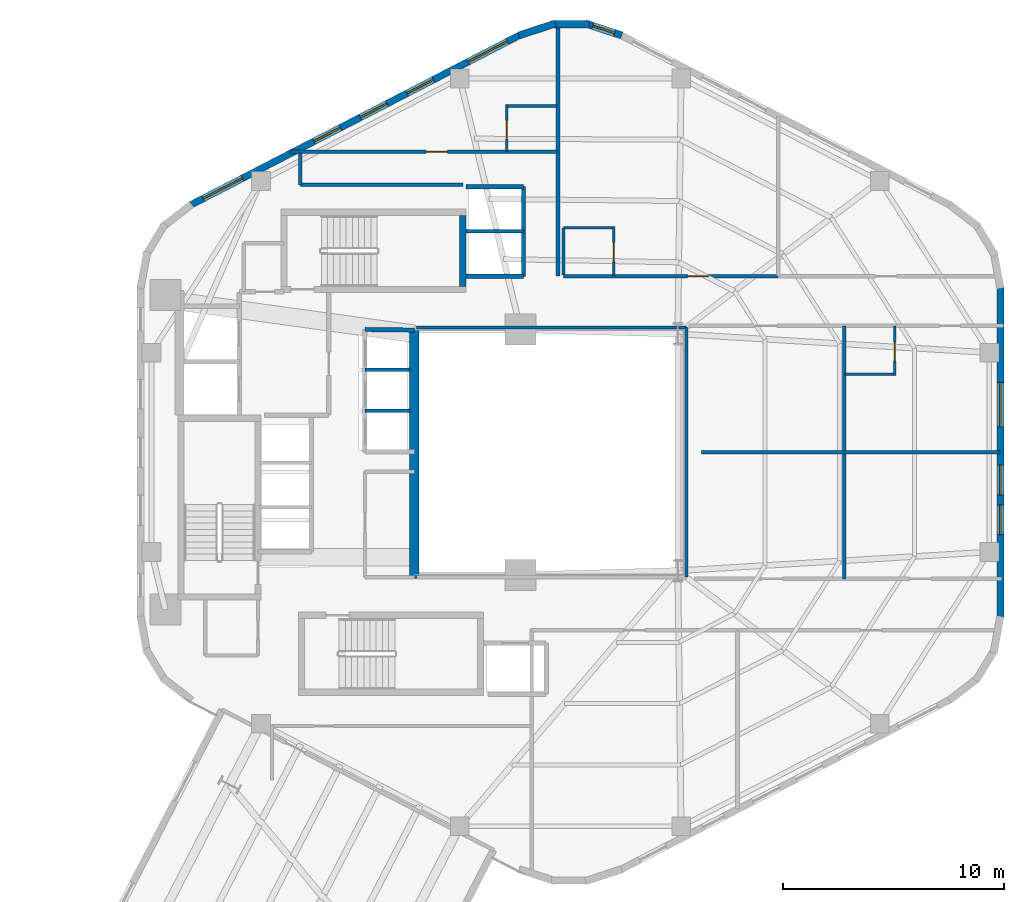
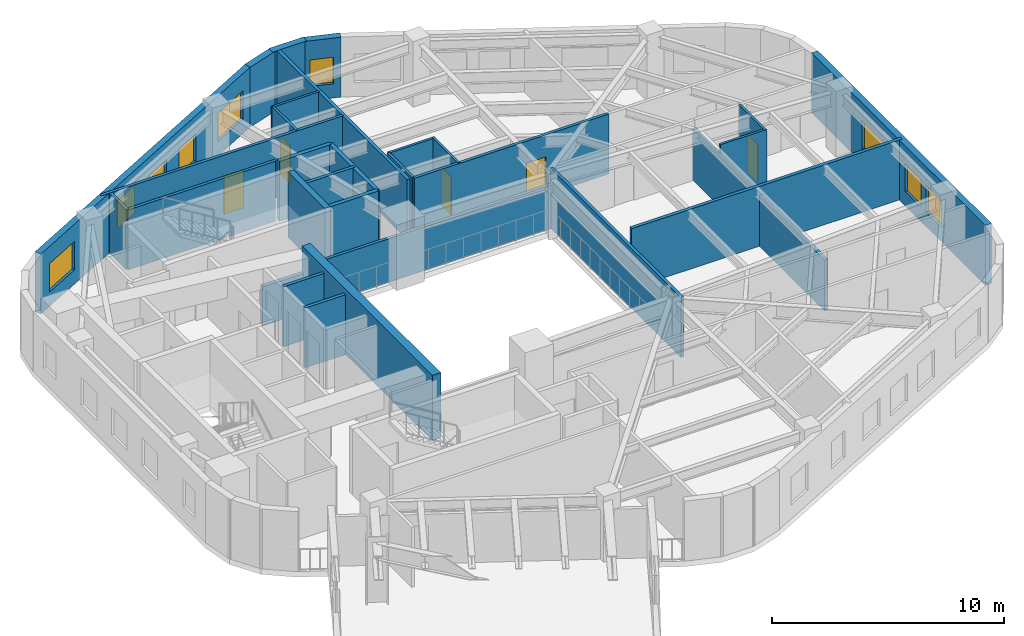
# One storey, part 7 of 9: 31 walls, 9 windows, 5 doors, 14 openings.
"""IFC4 building model written with IfcOpenShell, lengths in metres."""

from ifc_helpers import new_model, si_unit, direction, frame, frame_2d, origin, place, context, subcontext, project, spatial, rectangle, extrude, material, layer, layer_set, type_object, element, fill, save


model = new_model("IFC4")

# Units and contexts
model_context = context("Model", 3, precision=1e-05, world=origin(), true_north=direction((0.0, 1.0)))
body_context = subcontext(model_context, "Body", "Model", "MODEL_VIEW")
ifc_project = project(units=[si_unit("LENGTHUNIT", "METRE"), si_unit("AREAUNIT", "SQUARE_METRE"), si_unit("VOLUMEUNIT", "CUBIC_METRE"), si_unit("PLANEANGLEUNIT", "RADIAN"), si_unit("MASSUNIT", "GRAM", prefix="KILO"), si_unit("THERMODYNAMICTEMPERATUREUNIT", "KELVIN"), si_unit("POWERUNIT", "WATT")], contexts=[model_context])

# Site, building, storey
site_placement = place(None, origin())
site = spatial("IfcSite", under=ifc_project, at=site_placement, CompositionType="ELEMENT")
building_placement = place(site_placement, origin())
building = spatial("IfcBuilding", under=site, at=building_placement, Name="Skarre Station Tower", CompositionType="ELEMENT")
storey_placement = place(building_placement, frame((0.0, 0.0, 174.0)))
storey = spatial("IfcBuildingStorey", under=building, at=storey_placement, Name="L47", CompositionType="ELEMENT", Elevation=174.0)

# Walls
ifc_material_1 = material(Name="Acoustic Steel-Stud Gypsum Partition", Category="steel")
ifc_layer_1 = layer(ifc_material_1, 0.14990234375, Name="Acoustic Steel-Stud Gypsum Partition")
ifc_layer_set_1 = layer_set([ifc_layer_1], Name="Acoustic Steel-Stud Gypsum Partition")
wall_type_1 = type_object("IfcWallType", Name="Fire-Rated Corridor Acoustic Partition 150", PredefinedType="PARTITIONING", material=ifc_layer_set_1)
wall_1_placement = place(storey_placement, frame((39.840087890625, 29.639892578125, 0.0), z_axis=(0.0, 0.0, 1.0), x_axis=(-1.0, 0.0, 0.0)))
element("IfcWall", 1, at=wall_1_placement, inside=storey, type_object=wall_type_1, Name="L47 Interior Partition WL-PT-L47-ATRW-N", PredefinedType="PARTITIONING", context=body_context, shape_type="SweptSolid", body=[
    extrude(rectangle(XDim=12.2001953125, YDim=0.14990234375, at=frame_2d((6.10009765625, 0.0))), origin(), (0.0, 0.0, 1.0), 2.301025390625),
])
wall_2_placement = place(storey_placement, frame((39.840087890625, 18.360107421875, 0.0), z_axis=(0.0, 0.0, 1.0), x_axis=(0.0, 1.0, 0.0)))
element("IfcWall", 2, at=wall_2_placement, inside=storey, type_object=wall_type_1, Name="L47 Interior Partition WL-PT-L47-ATRW-E", PredefinedType="PARTITIONING", context=body_context, shape_type="SweptSolid", body=[
    extrude(rectangle(XDim=11.27978515625, YDim=0.14990234375, at=frame_2d((5.639892578125, 0.0))), origin(), (0.0, 0.0, 1.0), 3.159912109375),
])

# Wall, opening, door
wall_3_placement = place(storey_placement, frame((34.0, 37.580078125, 0.0), z_axis=(0.0, 0.0, 1.0), x_axis=(-1.0, 0.0, 0.0)))
wall_3 = element("IfcWall", 3, at=wall_3_placement, inside=storey, type_object=wall_type_1, Name="L47 Interior Partition WL-PT-L47-NWW1-CW", PredefinedType="PARTITIONING", context=body_context, shape_type="SweptSolid", body=[
    extrude(rectangle(XDim=12.074951171875, YDim=0.14990234375, at=frame_2d((6.03759765625, 0.0))), origin(), (0.0, 0.0, 1.0), 3.159912109375),
])
opening_1_placement = place(wall_3_placement, frame((4.9599609375, 0.0, 0.0)))
opening_1 = element("IfcOpeningElement", 4, at=opening_1_placement, cuts=wall_3, Name="Opening DR-FD60", PredefinedType="OPENING", context=body_context, shape_type="SweptSolid", body=[
    extrude(rectangle(XDim=0.9599609375, YDim=2.0, at=frame_2d((0.47998046875, 1.0))), frame((0.0, 0.0849609375, 0.0), z_axis=(0.0, -1.0, 0.0), x_axis=(1.0, 0.0, 0.0)), (0.0, 0.0, 1.0), 0.169921875),
])
ifc_material_2 = material(Name="Nordic White-Oak Veneer Solid-Core Fire Leaf", Category="wood")
door_type_1 = type_object("IfcDoorType", Name="Corridor Suite Entry Fire Door FD60 960x2150", OperationType="SINGLE_SWING_LEFT", PredefinedType="DOOR", material=ifc_material_2)
door_1_placement = place(opening_1_placement, origin())
door_1 = element("IfcDoor", 5, at=door_1_placement, inside=storey, type_object=door_type_1, Name="L47 NWW1 Entry Door", OperationType="SINGLE_SWING_LEFT", OverallHeight=2.0, OverallWidth=0.9599609375, PredefinedType="DOOR", context=body_context, shape_type="SweptSolid", body=[
    extrude(rectangle(XDim=0.9599609375, YDim=2.0, at=frame_2d((0.47998046875, 1.0))), frame((0.0, 0.02490234375, 0.0), z_axis=(0.0, -1.0, 0.0), x_axis=(1.0, 0.0, 0.0)), (0.0, 0.0, 1.0), 0.050048828125),
])
fill(opening_1, door_1)

wall_4_placement = place(storey_placement, frame((43.985107421875, 31.9599609375, 0.0), z_axis=(0.0, 0.0, 1.0), x_axis=(-1.0, 0.0, 0.0)))
wall_4 = element("IfcWall", 6, at=wall_4_placement, inside=storey, type_object=wall_type_1, Name="L47 Interior Partition WL-PT-L47-NW1-CW", PredefinedType="PARTITIONING", context=body_context, shape_type="SweptSolid", body=[
    extrude(rectangle(XDim=9.695068359375, YDim=0.14990234375, at=frame_2d((4.84765625, 0.0))), origin(), (0.0, 0.0, 1.0), 3.159912109375),
])
opening_2_placement = place(wall_4_placement, frame((3.14794921875, 0.0, 0.0)))
opening_2 = element("IfcOpeningElement", 7, at=opening_2_placement, cuts=wall_4, Name="Opening DR-FD60", PredefinedType="OPENING", context=body_context, shape_type="SweptSolid", body=[
    extrude(rectangle(XDim=0.9599609375, YDim=2.0, at=frame_2d((0.47998046875, 1.0))), frame((0.0, 0.0849609375, 0.0), z_axis=(0.0, -1.0, 0.0), x_axis=(1.0, 0.0, 0.0)), (0.0, 0.0, 1.0), 0.169921875),
])
door_2_placement = place(opening_2_placement, origin())
door_2 = element("IfcDoor", 8, at=door_2_placement, inside=storey, type_object=door_type_1, Name="L47 NW1 Entry Door", OperationType="SINGLE_SWING_LEFT", OverallHeight=2.0, OverallWidth=0.9599609375, PredefinedType="DOOR", context=body_context, shape_type="SweptSolid", body=[
    extrude(rectangle(XDim=0.9599609375, YDim=2.0, at=frame_2d((0.47998046875, 1.0))), frame((0.0, 0.02490234375, 0.0), z_axis=(0.0, -1.0, 0.0), x_axis=(1.0, 0.0, 0.0)), (0.0, 0.0, 1.0), 0.050048828125),
])
fill(opening_2, door_2)

# Walls
wall_5_placement = place(storey_placement, frame((29.7529296875, 36.080078125, 0.0), z_axis=(0.0, 0.0, 1.0), x_axis=(-1.0, 0.0, 0.0)))
element("IfcWall", 9, at=wall_5_placement, inside=storey, type_object=wall_type_1, Name="L47 Interior Partition WL-PT-L47-CSEAL-1", PredefinedType="PARTITIONING", context=body_context, shape_type="SweptSolid", body=[
    extrude(rectangle(XDim=7.35302734375, YDim=0.14990234375, at=frame_2d((3.676513671875, 0.0))), origin(), (0.0, 0.0, 1.0), 3.159912109375),
])
wall_6_placement = place(storey_placement, frame((22.39990234375, 36.080078125, 0.0), z_axis=(0.0, 0.0, 1.0), x_axis=(0.0, 1.0, 0.0)))
element("IfcWall", 10, at=wall_6_placement, inside=storey, type_object=wall_type_1, Name="L47 Interior Partition WL-PT-L47-CSEAL-2", PredefinedType="PARTITIONING", context=body_context, shape_type="SweptSolid", body=[
    extrude(rectangle(XDim=1.429931640625, YDim=0.14990234375, at=frame_2d((0.71484375, 0.0))), origin(), (0.0, 0.0, 1.0), 3.159912109375),
])
ifc_material_3 = material(Name="Insulated Timber-Stud Gypsum Partition", Category="wood")
ifc_layer_2 = layer(ifc_material_3, 0.1201171875, Name="Insulated Timber-Stud Gypsum Partition")
ifc_layer_set_2 = layer_set([ifc_layer_2], Name="Insulated Timber-Stud Gypsum Partition")
wall_type_2 = type_object("IfcWallType", Name="Internal Suite Acoustic Partition 120", PredefinedType="PARTITIONING", material=ifc_layer_set_2)
wall_7_placement = place(storey_placement, frame((34.0, 39.639892578125, 0.0), z_axis=(0.0, 0.0, 1.0), x_axis=(-1.0, 0.0, 0.0)))
element("IfcWall", 11, at=wall_7_placement, inside=storey, type_object=wall_type_2, Name="L47 Interior Partition WL-PT-L47-NWW1-EW3", PredefinedType="PARTITIONING", context=body_context, shape_type="SweptSolid", body=[
    extrude(rectangle(XDim=2.340087890625, YDim=0.1201171875, at=frame_2d((1.169921875, 0.0))), origin(), (0.0, 0.0, 1.0), 3.159912109375),
])

# Wall, opening, door
wall_8_placement = place(storey_placement, frame((31.719970703125, 39.639892578125, 0.0), z_axis=(0.0, 0.0, 1.0), x_axis=(0.0, -1.0, 0.0)))
wall_8 = element("IfcWall", 12, at=wall_8_placement, inside=storey, type_object=wall_type_2, Name="L47 Interior Partition WL-PT-L47-NWW1-EW4", PredefinedType="PARTITIONING", context=body_context, shape_type="SweptSolid", body=[
    extrude(rectangle(XDim=2.059814453125, YDim=0.1201171875, at=frame_2d((1.02978515625, 0.0))), origin(), (0.0, 0.0, 1.0), 3.159912109375),
])
opening_3_placement = place(wall_8_placement, frame((0.64990234375, 0.0, 0.0)))
opening_3 = element("IfcOpeningElement", 13, at=opening_3_placement, cuts=wall_8, Name="Opening DR-INT86", PredefinedType="OPENING", context=body_context, shape_type="SweptSolid", body=[
    extrude(rectangle(XDim=0.860107421875, YDim=2.0, at=frame_2d((0.43017578125, 1.0))), frame((0.0, 0.070068359375, 0.0), z_axis=(0.0, -1.0, 0.0), x_axis=(1.0, 0.0, 0.0)), (0.0, 0.0, 1.0), 0.14013671875),
])
ifc_material_4 = material(Name="Nordic Birch Acoustic Solid-Core Timber Leaf", Category="wood")
door_type_2 = type_object("IfcDoorType", Name="Internal En-Suite & Bedroom Door 860x2100", OperationType="SINGLE_SWING_LEFT", PredefinedType="DOOR", material=ifc_material_4)
door_3_placement = place(opening_3_placement, origin())
door_3 = element("IfcDoor", 14, at=door_3_placement, inside=storey, type_object=door_type_2, Name="L47 NWW1 En-suite Door", OperationType="SINGLE_SWING_RIGHT", OverallHeight=2.0, OverallWidth=0.860107421875, PredefinedType="DOOR", context=body_context, shape_type="SweptSolid", body=[
    extrude(rectangle(XDim=0.860107421875, YDim=2.0, at=frame_2d((0.43017578125, 1.0))), frame((0.0, 0.02490234375, 0.0), z_axis=(0.0, -1.0, 0.0), x_axis=(1.0, 0.0, 0.0)), (0.0, 0.0, 1.0), 0.050048828125),
])
fill(opening_3, door_3)

wall_9_placement = place(storey_placement, frame((36.550048828125, 31.9599609375, 0.0), z_axis=(0.0, 0.0, 1.0), x_axis=(0.0, 1.0, 0.0)))
wall_9 = element("IfcWall", 15, at=wall_9_placement, inside=storey, type_object=wall_type_2, Name="L47 Interior Partition WL-PT-L47-NW1-EW2", PredefinedType="PARTITIONING", context=body_context, shape_type="SweptSolid", body=[
    extrude(rectangle(XDim=2.239990234375, YDim=0.1201171875, at=frame_2d((1.1201171875, 0.0))), origin(), (0.0, 0.0, 1.0), 3.159912109375),
])
opening_4_placement = place(wall_9_placement, frame((0.64990234375, 0.0, 0.0)))
opening_4 = element("IfcOpeningElement", 16, at=opening_4_placement, cuts=wall_9, Name="Opening DR-INT86", PredefinedType="OPENING", context=body_context, shape_type="SweptSolid", body=[
    extrude(rectangle(XDim=0.860107421875, YDim=2.0, at=frame_2d((0.43017578125, 1.0))), frame((0.0, 0.070068359375, 0.0), z_axis=(0.0, -1.0, 0.0), x_axis=(1.0, 0.0, 0.0)), (0.0, 0.0, 1.0), 0.14013671875),
])
door_4_placement = place(opening_4_placement, origin())
door_4 = element("IfcDoor", 17, at=door_4_placement, inside=storey, type_object=door_type_2, Name="L47 NW1 En-suite Door", OperationType="SINGLE_SWING_LEFT", OverallHeight=2.0, OverallWidth=0.860107421875, PredefinedType="DOOR", context=body_context, shape_type="SweptSolid", body=[
    extrude(rectangle(XDim=0.860107421875, YDim=2.0, at=frame_2d((0.43017578125, 1.0))), frame((0.0, 0.02490234375, 0.0), z_axis=(0.0, -1.0, 0.0), x_axis=(1.0, 0.0, 0.0)), (0.0, 0.0, 1.0), 0.050048828125),
])
fill(opening_4, door_4)

# Walls
wall_10_placement = place(storey_placement, frame((36.610107421875, 34.139892578125, 0.0), z_axis=(0.0, 0.0, 1.0), x_axis=(-1.0, 0.0, 0.0)))
element("IfcWall", 18, at=wall_10_placement, inside=storey, type_object=wall_type_2, Name="L47 Interior Partition WL-PT-L47-NW1-EW3", PredefinedType="PARTITIONING", context=body_context, shape_type="SweptSolid", body=[
    extrude(rectangle(XDim=2.320068359375, YDim=0.1201171875, at=frame_2d((1.16015625, 0.0))), origin(), (0.0, 0.0, 1.0), 3.159912109375),
])
wall_11_placement = place(storey_placement, frame((34.2900390625, 34.139892578125, 0.0), z_axis=(0.0, 0.0, 1.0), x_axis=(0.0, -1.0, 0.0)))
element("IfcWall", 19, at=wall_11_placement, inside=storey, type_object=wall_type_2, Name="L47 Interior Partition WL-PT-L47-NW1-EW4", PredefinedType="PARTITIONING", context=body_context, shape_type="SweptSolid", body=[
    extrude(rectangle(XDim=2.139892578125, YDim=0.1201171875, at=frame_2d((1.06982421875, 0.0))), origin(), (0.0, 0.0, 1.0), 3.159912109375),
])

# Wall, opening, door
wall_12_placement = place(storey_placement, frame((49.24609375, 27.469970703125, 0.0), z_axis=(0.0, 0.0, 1.0), x_axis=(0.0, 1.0, 0.0)))
wall_12 = element("IfcWall", 20, at=wall_12_placement, inside=storey, type_object=wall_type_2, Name="L47 Interior Partition WL-PT-L47-EWN2-EW2", PredefinedType="PARTITIONING", context=body_context, shape_type="SweptSolid", body=[
    extrude(rectangle(XDim=2.239990234375, YDim=0.1201171875, at=frame_2d((1.1201171875, 0.0))), origin(), (0.0, 0.0, 1.0), 3.159912109375),
])
opening_5_placement = place(wall_12_placement, frame((0.64990234375, 0.0, 0.0)))
opening_5 = element("IfcOpeningElement", 21, at=opening_5_placement, cuts=wall_12, Name="Opening DR-INT86", PredefinedType="OPENING", context=body_context, shape_type="SweptSolid", body=[
    extrude(rectangle(XDim=0.860107421875, YDim=2.0, at=frame_2d((0.43017578125, 1.0))), frame((0.0, 0.070068359375, 0.0), z_axis=(0.0, -1.0, 0.0), x_axis=(1.0, 0.0, 0.0)), (0.0, 0.0, 1.0), 0.14013671875),
])
door_5_placement = place(opening_5_placement, origin())
door_5 = element("IfcDoor", 22, at=door_5_placement, inside=storey, type_object=door_type_2, Name="L47 EWN2 En-suite Door", OperationType="SINGLE_SWING_RIGHT", OverallHeight=2.0, OverallWidth=0.860107421875, PredefinedType="DOOR", context=body_context, shape_type="SweptSolid", body=[
    extrude(rectangle(XDim=0.860107421875, YDim=2.0, at=frame_2d((0.43017578125, 1.0))), frame((0.0, 0.02490234375, 0.0), z_axis=(0.0, -1.0, 0.0), x_axis=(1.0, 0.0, 0.0)), (0.0, 0.0, 1.0), 0.050048828125),
])
fill(opening_5, door_5)

# Walls
wall_13_placement = place(storey_placement, frame((46.986083984375, 27.530029296875, 0.0), z_axis=(0.0, 0.0, 1.0), x_axis=(1.0, 0.0, 0.0)))
element("IfcWall", 23, at=wall_13_placement, inside=storey, type_object=wall_type_2, Name="L47 Interior Partition WL-PT-L47-EWN2-EW1", PredefinedType="PARTITIONING", context=body_context, shape_type="SweptSolid", body=[
    extrude(rectangle(XDim=2.31982421875, YDim=0.1201171875, at=frame_2d((1.159912109375, 0.0))), origin(), (0.0, 0.0, 1.0), 3.159912109375),
])
ifc_material_5 = material(Name="Precast concrete C45/55", Category="concrete")
ifc_layer_3 = layer(ifc_material_5, 0.330078125, Name="Precast concrete C45/55")
ifc_layer_set_3 = layer_set([ifc_layer_3], Name="Precast concrete C45/55")
wall_type_3 = type_object("IfcWallType", Name="Nordic Rounded Corner Precast Wall 330", PredefinedType="STANDARD", material=ifc_layer_set_3)
wall_14_placement = place(storey_placement, frame((32.281005859375, 42.83203125, 0.0), z_axis=(0.0, 0.0, 1.0), x_axis=(0.949937416267, 0.312440242569, 0.0)))
element("IfcWall", 24, at=wall_14_placement, inside=storey, type_object=wall_type_3, Name="L47 Rounded Corner Precast Wall F1-1", PredefinedType="STANDARD", context=body_context, shape_type="SweptSolid", body=[
    extrude(rectangle(XDim=1.72216796875, YDim=0.330078125, at=frame_2d((0.861083984375, 0.0))), origin(), (0.0, 0.0, 1.0), 3.159912109375),
])
wall_15_placement = place(storey_placement, frame((33.739013671875, 43.341064453125, 0.0), z_axis=(0.0, 0.0, 1.0), x_axis=(1.0, 0.0, 0.0)))
element("IfcWall", 25, at=wall_15_placement, inside=storey, type_object=wall_type_3, Name="L47 Rounded Corner Precast Wall F1-2", PredefinedType="STANDARD", context=body_context, shape_type="SweptSolid", body=[
    extrude(rectangle(XDim=1.721923828125, YDim=0.330078125, at=frame_2d((0.86083984375, 0.0))), origin(), (0.0, 0.0, 1.0), 3.159912109375),
])

# Wall, opening, window
wall_16_placement = place(storey_placement, frame((35.282958984375, 43.3701171875, 0.0), z_axis=(0.0, 0.0, 1.0), x_axis=(0.949937416267, -0.312440242569, 0.0)))
wall_16 = element("IfcWall", 26, at=wall_16_placement, inside=storey, type_object=wall_type_3, Name="L47 Rounded Corner Precast Wall F1-3", PredefinedType="STANDARD", context=body_context, shape_type="SweptSolid", body=[
    extrude(rectangle(XDim=1.72216796875, YDim=0.330078125, at=frame_2d((0.861083984375, 0.0))), origin(), (0.0, 0.0, 1.0), 3.159912109375),
])
opening_6_placement = place(wall_16_placement, frame((0.3359375, 0.0, 0.75)))
opening_6 = element("IfcOpeningElement", 27, at=opening_6_placement, cuts=wall_16, Name="Opening WN-SLT", PredefinedType="OPENING", context=body_context, shape_type="SweptSolid", body=[
    extrude(rectangle(XDim=1.050048828125, YDim=1.39990234375, at=frame_2d((0.52490234375, 0.699951171875))), frame((0.0, 0.175048828125, 0.0), z_axis=(0.0, -1.0, 0.0), x_axis=(1.0, 0.0, 0.0)), (0.0, 0.0, 1.0), 0.35009765625),
])
ifc_material_6 = material(Name="Low-Iron Triple Glazing with Bronze Anodized Frame", Category="glass")
window_type_1 = type_object("IfcWindowType", Name="Nordic Corner Slot Window 1050x1400", PartitioningType="SINGLE_PANEL", PredefinedType="WINDOW", material=ifc_material_6)
window_1_placement = place(opening_6_placement, origin())
window_1 = element("IfcWindow", 28, at=window_1_placement, inside=storey, type_object=window_type_1, Name="L47 Apex Corner Slot Window F1-3", OverallHeight=1.39990234375, OverallWidth=1.050048828125, PartitioningType="SINGLE_PANEL", PredefinedType="WINDOW", context=body_context, shape_type="SweptSolid", body=[
    extrude(rectangle(XDim=1.050048828125, YDim=1.39990234375, at=frame_2d((0.52490234375, 0.699951171875))), frame((0.0, 0.030029296875, 0.0), z_axis=(0.0, -1.0, 0.0), x_axis=(1.0, 0.0, 0.0)), (0.0, 0.0, 1.0), 0.06005859375),
])
fill(opening_6, window_1)

# Wall, openings, windows
ifc_layer_4 = layer(ifc_material_5, 0.31005859375, Name="Precast concrete C45/55")
ifc_layer_set_4 = layer_set([ifc_layer_4], Name="Precast concrete C45/55")
wall_type_4 = type_object("IfcWallType", Name="Nordic Upper-Zone Precast Facet Wall 310", PredefinedType="STANDARD", material=ifc_layer_set_4)
wall_17_placement = place(storey_placement, frame((17.407958984375, 35.153076171875, 0.0), z_axis=(0.0, 0.0, 1.0), x_axis=(0.888626188278, 0.458632202867, 0.0)))
wall_17 = element("IfcWall", 29, at=wall_17_placement, inside=storey, type_object=wall_type_4, Name="L47 Facet 1 Nordic Precast Masonry Wall", PredefinedType="STANDARD", context=body_context, shape_type="SweptSolid", body=[
    extrude(rectangle(XDim=16.828369140625, YDim=0.31005859375, at=frame_2d((8.4140625, 0.0))), origin(), (0.0, 0.0, 1.0), 3.159912109375),
])
opening_7_placement = place(wall_17_placement, frame((0.675048828125, 0.0, 0.75)))
opening_7 = element("IfcOpeningElement", 30, at=opening_7_placement, cuts=wall_17, Name="Opening WN-Z3A", PredefinedType="OPENING", context=body_context, shape_type="SweptSolid", body=[
    extrude(rectangle(XDim=2.0, YDim=1.5, at=frame_2d((1.0, 0.75))), frame((0.0, 0.1650390625, 0.0), z_axis=(0.0, -1.0, 0.0), x_axis=(1.0, 0.0, 0.0)), (0.0, 0.0, 1.0), 0.330078125),
])
opening_8_placement = place(wall_17_placement, frame((6.31201171875, 0.0, 0.75)))
opening_8 = element("IfcOpeningElement", 31, at=opening_8_placement, cuts=wall_17, Name="Opening WN-Z3B", PredefinedType="OPENING", context=body_context, shape_type="SweptSolid", body=[
    extrude(rectangle(XDim=1.35009765625, YDim=1.449951171875, at=frame_2d((0.675048828125, 0.72509765625))), frame((0.0, 0.1650390625, 0.0), z_axis=(0.0, -1.0, 0.0), x_axis=(1.0, 0.0, 0.0)), (0.0, 0.0, 1.0), 0.330078125),
])
opening_9_placement = place(wall_17_placement, frame((8.676025390625, 0.0, 0.75)))
opening_9 = element("IfcOpeningElement", 32, at=opening_9_placement, cuts=wall_17, Name="Opening WN-Z3B", PredefinedType="OPENING", context=body_context, shape_type="SweptSolid", body=[
    extrude(rectangle(XDim=1.35009765625, YDim=1.449951171875, at=frame_2d((0.675048828125, 0.72509765625))), frame((0.0, 0.1650390625, 0.0), z_axis=(0.0, -1.0, 0.0), x_axis=(1.0, 0.0, 0.0)), (0.0, 0.0, 1.0), 0.330078125),
])
opening_10_placement = place(wall_17_placement, frame((11.041015625, 0.0, 0.75)))
opening_10 = element("IfcOpeningElement", 33, at=opening_10_placement, cuts=wall_17, Name="Opening WN-Z3B", PredefinedType="OPENING", context=body_context, shape_type="SweptSolid", body=[
    extrude(rectangle(XDim=1.35009765625, YDim=1.449951171875, at=frame_2d((0.675048828125, 0.72509765625))), frame((0.0, 0.1650390625, 0.0), z_axis=(0.0, -1.0, 0.0), x_axis=(1.0, 0.0, 0.0)), (0.0, 0.0, 1.0), 0.330078125),
])
opening_11_placement = place(wall_17_placement, frame((14.153076171875, 0.0, 0.75)))
opening_11 = element("IfcOpeningElement", 34, at=opening_11_placement, cuts=wall_17, Name="Opening WN-Z3A", PredefinedType="OPENING", context=body_context, shape_type="SweptSolid", body=[
    extrude(rectangle(XDim=2.0, YDim=1.5, at=frame_2d((1.0, 0.75))), frame((0.0, 0.1650390625, 0.0), z_axis=(0.0, -1.0, 0.0), x_axis=(1.0, 0.0, 0.0)), (0.0, 0.0, 1.0), 0.330078125),
])
window_type_2 = type_object("IfcWindowType", Name="Nordic Hospitality Narrow Window 1350x1450", PartitioningType="SINGLE_PANEL", PredefinedType="WINDOW", material=ifc_material_6)
window_2_placement = place(opening_8_placement, origin())
window_2 = element("IfcWindow", 35, at=window_2_placement, inside=storey, type_object=window_type_2, Name="L47 Facade Window WL-FAC-L47-F1-2", OverallHeight=1.449951171875, OverallWidth=1.35009765625, PartitioningType="SINGLE_PANEL", PredefinedType="WINDOW", context=body_context, shape_type="SweptSolid", body=[
    extrude(rectangle(XDim=1.35009765625, YDim=1.449951171875, at=frame_2d((0.675048828125, 0.72509765625))), frame((0.0, 0.030029296875, 0.0), z_axis=(0.0, -1.0, 0.0), x_axis=(1.0, 0.0, 0.0)), (0.0, 0.0, 1.0), 0.06005859375),
])
fill(opening_8, window_2)
window_3_placement = place(opening_9_placement, origin())
window_3 = element("IfcWindow", 36, at=window_3_placement, inside=storey, type_object=window_type_2, Name="L47 Facade Window WL-FAC-L47-F1-3", OverallHeight=1.449951171875, OverallWidth=1.35009765625, PartitioningType="SINGLE_PANEL", PredefinedType="WINDOW", context=body_context, shape_type="SweptSolid", body=[
    extrude(rectangle(XDim=1.35009765625, YDim=1.449951171875, at=frame_2d((0.675048828125, 0.72509765625))), frame((0.0, 0.030029296875, 0.0), z_axis=(0.0, -1.0, 0.0), x_axis=(1.0, 0.0, 0.0)), (0.0, 0.0, 1.0), 0.06005859375),
])
fill(opening_9, window_3)
window_4_placement = place(opening_10_placement, origin())
window_4 = element("IfcWindow", 37, at=window_4_placement, inside=storey, type_object=window_type_2, Name="L47 Facade Window WL-FAC-L47-F1-4", OverallHeight=1.449951171875, OverallWidth=1.35009765625, PartitioningType="SINGLE_PANEL", PredefinedType="WINDOW", context=body_context, shape_type="SweptSolid", body=[
    extrude(rectangle(XDim=1.35009765625, YDim=1.449951171875, at=frame_2d((0.675048828125, 0.72509765625))), frame((0.0, 0.030029296875, 0.0), z_axis=(0.0, -1.0, 0.0), x_axis=(1.0, 0.0, 0.0)), (0.0, 0.0, 1.0), 0.06005859375),
])
fill(opening_10, window_4)
window_type_3 = type_object("IfcWindowType", Name="Nordic Hospitality Window 2000x1500", PartitioningType="SINGLE_PANEL", PredefinedType="WINDOW", material=ifc_material_6)
window_5_placement = place(opening_7_placement, origin())
window_5 = element("IfcWindow", 38, at=window_5_placement, inside=storey, type_object=window_type_3, Name="L47 Facade Window WL-FAC-L47-F1-1", OverallHeight=1.5, OverallWidth=2.0, PartitioningType="SINGLE_PANEL", PredefinedType="WINDOW", context=body_context, shape_type="SweptSolid", body=[
    extrude(rectangle(XDim=2.0, YDim=1.5, at=frame_2d((1.0, 0.75))), frame((0.0, 0.030029296875, 0.0), z_axis=(0.0, -1.0, 0.0), x_axis=(1.0, 0.0, 0.0)), (0.0, 0.0, 1.0), 0.06005859375),
])
fill(opening_7, window_5)
window_6_placement = place(opening_11_placement, origin())
window_6 = element("IfcWindow", 39, at=window_6_placement, inside=storey, type_object=window_type_3, Name="L47 Facade Window WL-FAC-L47-F1-5", OverallHeight=1.5, OverallWidth=2.0, PartitioningType="SINGLE_PANEL", PredefinedType="WINDOW", context=body_context, shape_type="SweptSolid", body=[
    extrude(rectangle(XDim=2.0, YDim=1.5, at=frame_2d((1.0, 0.75))), frame((0.0, 0.030029296875, 0.0), z_axis=(0.0, -1.0, 0.0), x_axis=(1.0, 0.0, 0.0)), (0.0, 0.0, 1.0), 0.06005859375),
])
fill(opening_11, window_6)

wall_18_placement = place(storey_placement, frame((54.01708984375, 31.501953125, 0.0), z_axis=(0.0, 0.0, 1.0), x_axis=(0.0, -1.0, 0.0)))
wall_18 = element("IfcWall", 40, at=wall_18_placement, inside=storey, type_object=wall_type_4, Name="L47 Facet 5 Nordic Precast Masonry Wall", PredefinedType="STANDARD", context=body_context, shape_type="SweptSolid", body=[
    extrude(rectangle(XDim=15.00390625, YDim=0.31005859375, at=frame_2d((7.501953125, 0.0))), origin(), (0.0, 0.0, 1.0), 3.159912109375),
])
opening_12_placement = place(wall_18_placement, frame((4.35302734375, 0.0, 0.75)))
opening_12 = element("IfcOpeningElement", 41, at=opening_12_placement, cuts=wall_18, Name="Opening WN-Z3A", PredefinedType="OPENING", context=body_context, shape_type="SweptSolid", body=[
    extrude(rectangle(XDim=2.0, YDim=1.5, at=frame_2d((1.0, 0.75))), frame((0.0, 0.1650390625, 0.0), z_axis=(0.0, -1.0, 0.0), x_axis=(1.0, 0.0, 0.0)), (0.0, 0.0, 1.0), 0.330078125),
])
opening_13_placement = place(wall_18_placement, frame((8.0830078125, 0.0, 0.75)))
opening_13 = element("IfcOpeningElement", 42, at=opening_13_placement, cuts=wall_18, Name="Opening WN-Z3B", PredefinedType="OPENING", context=body_context, shape_type="SweptSolid", body=[
    extrude(rectangle(XDim=1.35009765625, YDim=1.449951171875, at=frame_2d((0.675048828125, 0.72509765625))), frame((0.0, 0.1650390625, 0.0), z_axis=(0.0, -1.0, 0.0), x_axis=(1.0, 0.0, 0.0)), (0.0, 0.0, 1.0), 0.330078125),
])
opening_14_placement = place(wall_18_placement, frame((9.8701171875, 0.0, 0.75)))
opening_14 = element("IfcOpeningElement", 43, at=opening_14_placement, cuts=wall_18, Name="Opening WN-Z3B", PredefinedType="OPENING", context=body_context, shape_type="SweptSolid", body=[
    extrude(rectangle(XDim=1.35009765625, YDim=1.449951171875, at=frame_2d((0.675048828125, 0.72509765625))), frame((0.0, 0.1650390625, 0.0), z_axis=(0.0, -1.0, 0.0), x_axis=(1.0, 0.0, 0.0)), (0.0, 0.0, 1.0), 0.330078125),
])
window_7_placement = place(opening_13_placement, origin())
window_7 = element("IfcWindow", 44, at=window_7_placement, inside=storey, type_object=window_type_2, Name="L47 Facade Window WL-FAC-L47-F5-2", OverallHeight=1.449951171875, OverallWidth=1.35009765625, PartitioningType="SINGLE_PANEL", PredefinedType="WINDOW", context=body_context, shape_type="SweptSolid", body=[
    extrude(rectangle(XDim=1.35009765625, YDim=1.449951171875, at=frame_2d((0.675048828125, 0.72509765625))), frame((0.0, 0.030029296875, 0.0), z_axis=(0.0, -1.0, 0.0), x_axis=(1.0, 0.0, 0.0)), (0.0, 0.0, 1.0), 0.06005859375),
])
fill(opening_13, window_7)
window_8_placement = place(opening_14_placement, origin())
window_8 = element("IfcWindow", 45, at=window_8_placement, inside=storey, type_object=window_type_2, Name="L47 Facade Window WL-FAC-L47-F5-3", OverallHeight=1.449951171875, OverallWidth=1.35009765625, PartitioningType="SINGLE_PANEL", PredefinedType="WINDOW", context=body_context, shape_type="SweptSolid", body=[
    extrude(rectangle(XDim=1.35009765625, YDim=1.449951171875, at=frame_2d((0.675048828125, 0.72509765625))), frame((0.0, 0.030029296875, 0.0), z_axis=(0.0, -1.0, 0.0), x_axis=(1.0, 0.0, 0.0)), (0.0, 0.0, 1.0), 0.06005859375),
])
fill(opening_14, window_8)
window_9_placement = place(opening_12_placement, origin())
window_9 = element("IfcWindow", 46, at=window_9_placement, inside=storey, type_object=window_type_3, Name="L47 Facade Window WL-FAC-L47-F5-1", OverallHeight=1.5, OverallWidth=2.0, PartitioningType="SINGLE_PANEL", PredefinedType="WINDOW", context=body_context, shape_type="SweptSolid", body=[
    extrude(rectangle(XDim=2.0, YDim=1.5, at=frame_2d((1.0, 0.75))), frame((0.0, 0.030029296875, 0.0), z_axis=(0.0, -1.0, 0.0), x_axis=(1.0, 0.0, 0.0)), (0.0, 0.0, 1.0), 0.06005859375),
])
fill(opening_12, window_9)

# Walls
ifc_material_7 = material(Name="Concrete C50/60", Category="concrete")
ifc_layer_5 = layer(ifc_material_7, 0.280029296875, Name="Concrete C50/60")
ifc_layer_set_5 = layer_set([ifc_layer_5], Name="Concrete C50/60")
wall_type_5 = type_object("IfcWallType", Name="RC Core Shear Wall 280", PredefinedType="SHEAR", material=ifc_layer_set_5)
wall_19_placement = place(storey_placement, frame((29.739990234375, 31.5, 0.0), z_axis=(0.0, 0.0, 1.0), x_axis=(0.0, 1.0, 0.0)))
element("IfcWall", 47, at=wall_19_placement, inside=storey, type_object=wall_type_5, Name="L47 Stair ST-3 East Shear Wall", PredefinedType="SHEAR", context=body_context, shape_type="SweptSolid", body=[
    extrude(rectangle(XDim=3.199951171875, YDim=0.280029296875, at=frame_2d((1.60009765625, 0.0))), origin(), (0.0, 0.0, 1.0), 3.449951171875),
])
ifc_material_8 = material(Name="Concrete C60/75", Category="concrete")
ifc_layer_6 = layer(ifc_material_8, 0.419921875, Name="Concrete C60/75")
ifc_layer_set_6 = layer_set([ifc_layer_6], Name="Concrete C60/75")
wall_type_6 = type_object("IfcWallType", Name="RC Core Shear Wall 420", PredefinedType="SHEAR", material=ifc_layer_set_6)
wall_20_placement = place(storey_placement, frame((27.550048828125, 29.550048828125, 0.0), z_axis=(0.0, 0.0, 1.0), x_axis=(0.0, -1.0, 0.0)))
element("IfcWall", 48, at=wall_20_placement, inside=storey, type_object=wall_type_6, Name="L47 Core East Atrium Shear Wall", PredefinedType="SHEAR", context=body_context, shape_type="SweptSolid", body=[
    extrude(rectangle(XDim=11.25, YDim=0.419921875, at=frame_2d((5.625, 0.0))), origin(), (0.0, 0.0, 1.0), 3.449951171875),
])
ifc_material_9 = material(Name="Gypsum Concrete Shaft Assembly C30/37", Category="concrete")
ifc_layer_7 = layer(ifc_material_9, 0.199951171875, Name="Gypsum Concrete Shaft Assembly C30/37")
ifc_layer_set_7 = layer_set([ifc_layer_7], Name="Gypsum Concrete Shaft Assembly C30/37")
wall_type_7 = type_object("IfcWallType", Name="Shaft & Core Fire Partition 200", PredefinedType="PARTITIONING", material=ifc_layer_set_7)
wall_21_placement = place(storey_placement, frame((32.47998046875, 31.949951171875, 0.0), z_axis=(0.0, 0.0, 1.0), x_axis=(0.0, 1.0, 0.0)))
element("IfcWall", 49, at=wall_21_placement, inside=storey, type_object=wall_type_7, Name="L47 Interior Partition WL-PT-L47-EX-E", PredefinedType="PARTITIONING", context=body_context, shape_type="SweptSolid", body=[
    extrude(rectangle(XDim=4.050048828125, YDim=0.199951171875, at=frame_2d((2.02490234375, 0.0))), origin(), (0.0, 0.0, 1.0), 3.159912109375),
])
for number, where, z_axis, x_axis, name in (
    (50, (29.8798828125, 36.0, 0.0), (0.0, 0.0, 1.0), (1.0, 0.0, 0.0), "L47 Interior Partition WL-PT-L47-EX-N"),
    (51, (32.47998046875, 31.949951171875, 0.0), (0.0, 0.0, 1.0), (-1.0, 0.0, 0.0), "L47 Interior Partition WL-PT-L47-EX-S"),
):
    element("IfcWall", number, at=place(storey_placement, frame(where, z_axis=z_axis, x_axis=x_axis)), inside=storey, type_object=wall_type_7, Name=name, PredefinedType="PARTITIONING", context=body_context, shape_type="SweptSolid", body=[
        extrude(rectangle(XDim=2.60009765625, YDim=0.199951171875, at=frame_2d((1.300048828125, 0.0))), origin(), (0.0, 0.0, 1.0), 3.159912109375),
    ])
wall_22_placement = place(storey_placement, frame((29.875, 33.97998046875, 0.0), z_axis=(0.0, 0.0, 1.0), x_axis=(1.0, 0.0, 0.0)))
element("IfcWall", 52, at=wall_22_placement, inside=storey, type_object=wall_type_7, Name="L47 Interior Partition WL-PT-L47-EX-DIV", PredefinedType="PARTITIONING", context=body_context, shape_type="SweptSolid", body=[
    extrude(rectangle(XDim=2.60498046875, YDim=0.159912109375, at=frame_2d((1.302490234375, 0.0))), origin(), (0.0, 0.0, 1.0), 3.159912109375),
])
wall_23_placement = place(storey_placement, frame((27.550048828125, 29.52001953125, 0.0), z_axis=(0.0, 0.0, 1.0), x_axis=(-0.999909343457, 0.013464949556, 0.0)))
element("IfcWall", 53, at=wall_23_placement, inside=storey, type_object=wall_type_7, Name="L47 Interior Partition WL-PT-L47-B2-N", PredefinedType="PARTITIONING", context=body_context, shape_type="SweptSolid", body=[
    extrude(rectangle(XDim=2.230224609375, YDim=0.199951171875, at=frame_2d((1.115234375, 0.0))), origin(), (0.0, 0.0, 1.0), 2.06005859375),
])
for number, where, z_axis, x_axis, name in (
    (54, (25.320068359375, 25.8701171875, 0.0), (0.0, 0.0, 1.0), (1.0, 0.0, 0.0), "L47 Interior Partition WL-PT-L47-B2-D258"),
    (55, (25.320068359375, 27.719970703125, 0.0), (0.0, 0.0, 1.0), (1.0, 0.0, 0.0), "L47 Interior Partition WL-PT-L47-B2-D277"),
):
    element("IfcWall", number, at=place(storey_placement, frame(where, z_axis=z_axis, x_axis=x_axis)), inside=storey, type_object=wall_type_7, Name=name, PredefinedType="PARTITIONING", context=body_context, shape_type="SweptSolid", body=[
        extrude(rectangle(XDim=2.030029296875, YDim=0.159912109375, at=frame_2d((1.01513671875, 0.0))), origin(), (0.0, 0.0, 1.0), 3.159912109375),
    ])
ifc_layer_8 = layer(ifc_material_1, 0.1650390625, Name="Acoustic Steel-Stud Gypsum Partition")
ifc_layer_set_8 = layer_set([ifc_layer_8], Name="Acoustic Steel-Stud Gypsum Partition")
wall_type_8 = type_object("IfcWallType", Name="Suite Demising Acoustic Partition 165", PredefinedType="PARTITIONING", material=ifc_layer_set_8)
wall_24_placement = place(storey_placement, frame((34.0400390625, 31.9599609375, 0.0), z_axis=(0.0, 0.0, 1.0), x_axis=(0.0, 1.0, 0.0)))
element("IfcWall", 56, at=wall_24_placement, inside=storey, type_object=wall_type_8, Name="L47 Interior Partition WL-PT-L47-NW-WBND", PredefinedType="PARTITIONING", context=body_context, shape_type="SweptSolid", body=[
    extrude(rectangle(XDim=11.3759765625, YDim=0.1650390625, at=frame_2d((5.68798828125, 0.0))), origin(), (0.0, 0.0, 1.0), 3.159912109375),
])
wall_25_placement = place(storey_placement, frame((40.52001953125, 24.0, 0.0), z_axis=(0.0, 0.0, 1.0), x_axis=(1.0, 0.0, 0.0)))
element("IfcWall", 57, at=wall_25_placement, inside=storey, type_object=wall_type_8, Name="L47 Interior Partition WL-PT-L47-EW-Z2MID", PredefinedType="PARTITIONING", context=body_context, shape_type="SweptSolid", body=[
    extrude(rectangle(XDim=13.48193359375, YDim=0.1650390625, at=frame_2d((6.740966796875, 0.0))), origin(), (0.0, 0.0, 1.0), 3.159912109375),
])
for number, where, z_axis, x_axis, name in (
    (58, (46.970947265625, 24.070068359375, 0.0), (0.0, 0.0, 1.0), (0.0, 1.0, 0.0), "L47 Interior Partition WL-PT-L47-EWN-P1"),
    (59, (46.970947265625, 18.2900390625, 0.0), (0.0, 0.0, 1.0), (0.0, 1.0, 0.0), "L47 Interior Partition WL-PT-L47-EWS-P1"),
):
    element("IfcWall", number, at=place(storey_placement, frame(where, z_axis=z_axis, x_axis=x_axis)), inside=storey, type_object=wall_type_8, Name=name, PredefinedType="PARTITIONING", context=body_context, shape_type="SweptSolid", body=[
        extrude(rectangle(XDim=5.639892578125, YDim=0.1650390625, at=frame_2d((2.81982421875, 0.0))), origin(), (0.0, 0.0, 1.0), 2.702880859375),
    ])

save(model, "model.ifc")
